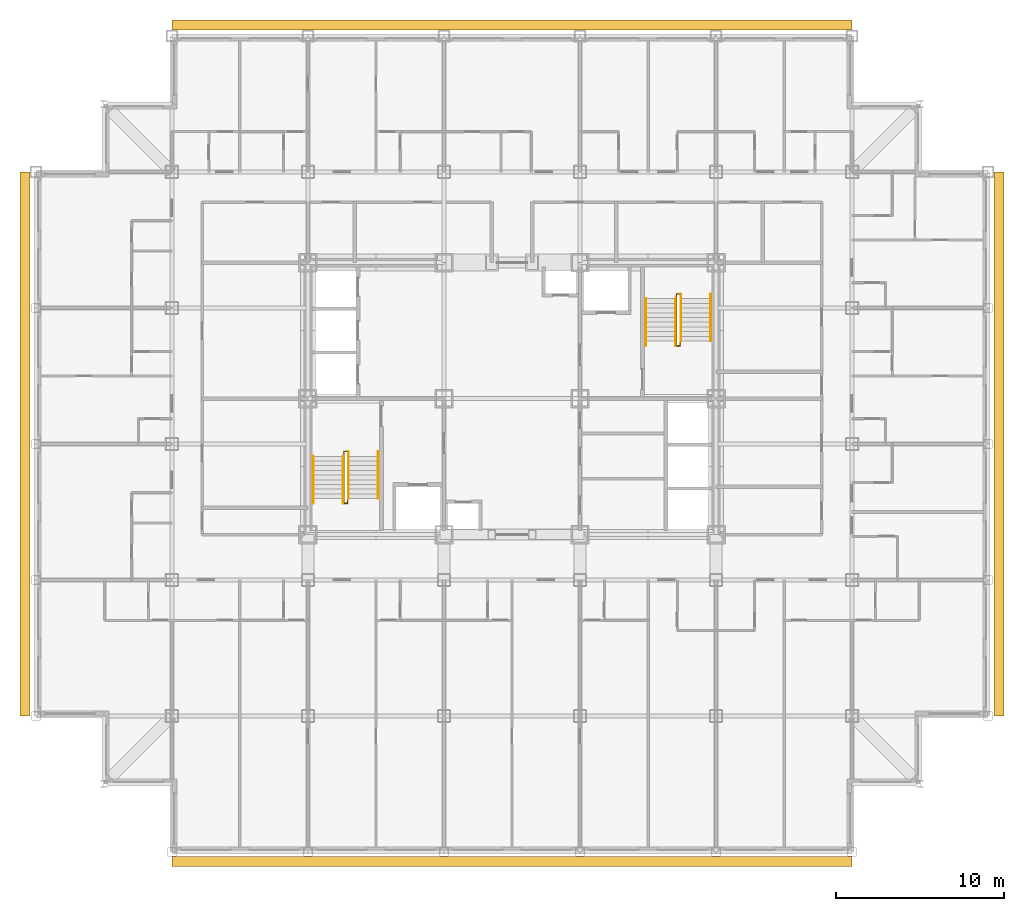
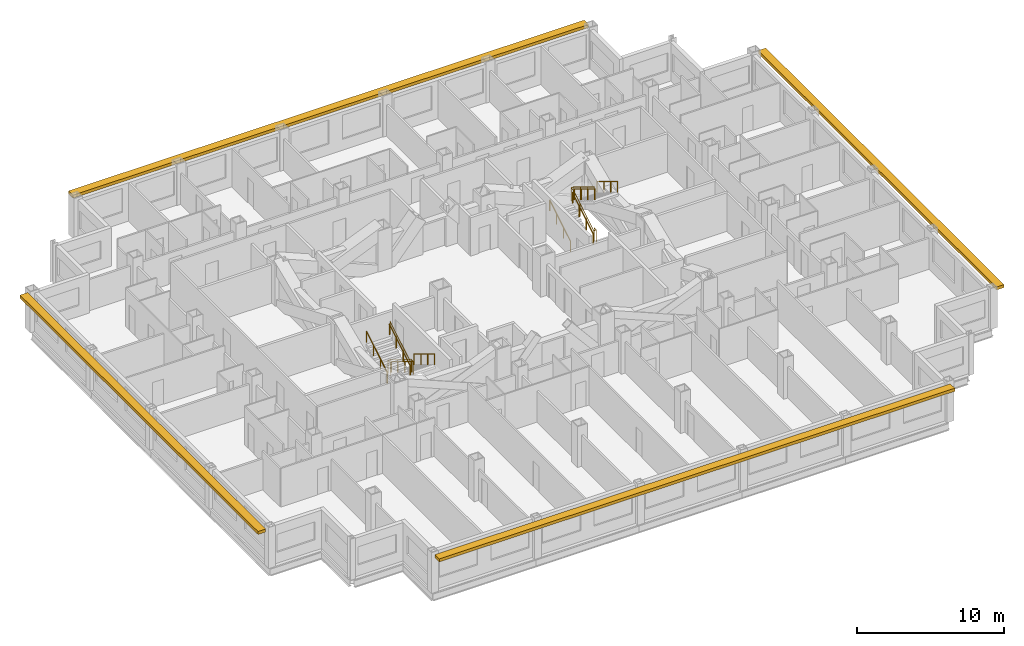
# One storey, part 13 of 13: 10 railings, 4 shading devices.
"""IFC4 building model written with IfcOpenShell, lengths in metres."""

from ifc_helpers import new_model, si_unit, direction, frame, origin, origin_2d, place, context, subcontext, project, spatial, rectangle, circle, extrude, material, type_object, element, save


model = new_model("IFC4")

# Units and contexts
model_context = context("Model", 3, precision=1e-05, world=origin(), true_north=direction((0.0, 1.0)))
body_context = subcontext(model_context, "Body", "Model", "MODEL_VIEW")
ifc_project = project(units=[si_unit("LENGTHUNIT", "METRE"), si_unit("AREAUNIT", "SQUARE_METRE"), si_unit("VOLUMEUNIT", "CUBIC_METRE"), si_unit("PLANEANGLEUNIT", "RADIAN"), si_unit("MASSUNIT", "GRAM", prefix="KILO")], contexts=[model_context])

# Site, building, storey
site_placement = place(None, origin())
site = spatial("IfcSite", under=ifc_project, at=site_placement, CompositionType="ELEMENT")
building_placement = place(site_placement, origin())
building = spatial("IfcBuilding", under=site, at=building_placement, Name="Kopane Lantern Tower", CompositionType="ELEMENT")
storey_placement = place(building_placement, frame((0.0, 0.0, 130.60009765625)))
storey = spatial("IfcBuildingStorey", under=building, at=storey_placement, Name="L33", CompositionType="ELEMENT", Elevation=130.60009765625)

# Railings
ifc_material_1 = material(Name="Steel", Category="steel")
railing_type_1 = type_object("IfcRailingType", Name="STAIR GUARD 1100", PredefinedType="GUARDRAIL", material=ifc_material_1)
railing_1_placement = place(storey_placement, frame((18.35009765625, 28.969970703125, 0.0)))
element("IfcRailing", 1, at=railing_1_placement, inside=storey, type_object=railing_type_1, Name="ST1 well guard L33", PredefinedType="GUARDRAIL", context=body_context, shape_type="SweptSolid", body=[
    extrude(circle(Radius=0.02392578125, at=origin_2d()), frame((0.0, 0.0, 1.076171875), z_axis=(0.0, 1.0, 0.0), x_axis=(-1.0, 0.0, 0.0)), (0.0, 0.0, 1.0), 0.280029296875),
    extrude(circle(Radius=0.02392578125, at=origin_2d()), frame((0.0, 0.280029296875, 1.076171875), z_axis=(1.0, 0.0, 0.0), x_axis=(0.0, 1.0, 0.0)), (0.0, 0.0, 1.0), 0.199951171875),
    extrude(circle(Radius=0.02392578125, at=origin_2d()), frame((0.199951171875, 0.280029296875, 1.076171875), z_axis=(0.0, -0.854798142509, 0.518960630071), x_axis=(1.0, 0.0, 0.0)), (0.0, 0.0, 1.0), 3.275634765625),
    extrude(circle(Radius=0.02392578125, at=origin_2d()), frame((0.199951171875, -2.52001953125, 2.77587890625), z_axis=(0.0, -1.0, 0.0), x_axis=(1.0, 0.0, 0.0)), (0.0, 0.0, 1.0), 0.280029296875),
    extrude(circle(Radius=0.02392578125, at=origin_2d()), frame((0.199951171875, -2.800048828125, 2.77587890625), z_axis=(-1.0, 0.0, 0.0), x_axis=(0.0, -1.0, 0.0)), (0.0, 0.0, 1.0), 0.199951171875),
    extrude(circle(Radius=0.02392578125, at=origin_2d()), frame((0.0, -2.800048828125, 2.77587890625), z_axis=(0.0, 0.854798142509, 0.518960630071), x_axis=(-1.0, 0.0, 0.0)), (0.0, 0.0, 1.0), 3.275634765625),
    extrude(circle(Radius=0.02099609375, at=origin_2d()), origin(), (0.0, 0.0, 1.0), 1.052001953125),
    extrude(circle(Radius=0.02099609375, at=origin_2d()), frame((0.0, 0.280029296875, 0.0)), (0.0, 0.0, 1.0), 1.052001953125),
    extrude(circle(Radius=0.02099609375, at=origin_2d()), frame((0.199951171875, 0.280029296875, 0.0)), (0.0, 0.0, 1.0), 1.052001953125),
    extrude(circle(Radius=0.02099609375, at=origin_2d()), frame((0.199951171875, -0.6533203125, 0.566650390625)), (0.0, 0.0, 1.0), 1.052001953125),
    extrude(circle(Radius=0.02099609375, at=origin_2d()), frame((0.199951171875, -1.586669921875, 1.13330078125)), (0.0, 0.0, 1.0), 1.052001953125),
    extrude(circle(Radius=0.02099609375, at=origin_2d()), frame((0.199951171875, -2.52001953125, 1.699951171875)), (0.0, 0.0, 1.0), 1.052001953125),
    extrude(circle(Radius=0.02099609375, at=origin_2d()), frame((0.199951171875, -2.800048828125, 1.699951171875)), (0.0, 0.0, 1.0), 1.052001953125),
    extrude(circle(Radius=0.02099609375, at=origin_2d()), frame((0.0, -2.800048828125, 1.699951171875)), (0.0, 0.0, 1.0), 1.052001953125),
    extrude(circle(Radius=0.02099609375, at=origin_2d()), frame((0.0, -1.86669921875, 2.2666015625)), (0.0, 0.0, 1.0), 1.052001953125),
    extrude(circle(Radius=0.02099609375, at=origin_2d()), frame((0.0, -0.933349609375, 2.833251953125)), (0.0, 0.0, 1.0), 1.052001953125),
    extrude(circle(Radius=0.02099609375, at=origin_2d()), frame((0.0, 0.0, 3.39990234375)), (0.0, 0.0, 1.0), 1.052001953125),
])
railing_2_placement = place(storey_placement, frame((38.35009765625, 35.830078125, 0.0)))
element("IfcRailing", 2, at=railing_2_placement, inside=storey, type_object=railing_type_1, Name="ST2 well guard L33", PredefinedType="GUARDRAIL", context=body_context, shape_type="SweptSolid", body=[
    extrude(circle(Radius=0.02392578125, at=origin_2d()), frame((0.0, 0.0, 1.076171875), z_axis=(0.0, -1.0, 0.0), x_axis=(1.0, 0.0, 0.0)), (0.0, 0.0, 1.0), 0.280029296875),
    extrude(circle(Radius=0.02392578125, at=origin_2d()), frame((0.0, -0.280029296875, 1.076171875), z_axis=(-1.0, 0.0, 0.0), x_axis=(0.0, -1.0, 0.0)), (0.0, 0.0, 1.0), 0.2001953125),
    extrude(circle(Radius=0.02392578125, at=origin_2d()), frame((-0.2001953125, -0.280029296875, 1.076171875), z_axis=(0.0, 0.854798142509, 0.518960630071), x_axis=(-1.0, 0.0, 0.0)), (0.0, 0.0, 1.0), 3.275634765625),
    extrude(circle(Radius=0.02392578125, at=origin_2d()), frame((-0.2001953125, 2.52001953125, 2.77587890625), z_axis=(0.0, 1.0, 0.0), x_axis=(-1.0, 0.0, 0.0)), (0.0, 0.0, 1.0), 0.27978515625),
    extrude(circle(Radius=0.02392578125, at=origin_2d()), frame((-0.2001953125, 2.7998046875, 2.77587890625), z_axis=(1.0, 0.0, 0.0), x_axis=(0.0, 1.0, 0.0)), (0.0, 0.0, 1.0), 0.2001953125),
    extrude(circle(Radius=0.02392578125, at=origin_2d()), frame((0.0, 2.7998046875, 2.77587890625), z_axis=(0.0, -0.854778067842, 0.518993694313), x_axis=(1.0, 0.0, 0.0)), (0.0, 0.0, 1.0), 3.275390625),
    extrude(circle(Radius=0.02099609375, at=origin_2d()), origin(), (0.0, 0.0, 1.0), 1.052001953125),
    extrude(circle(Radius=0.02099609375, at=origin_2d()), frame((0.0, -0.280029296875, 0.0)), (0.0, 0.0, 1.0), 1.052001953125),
    extrude(circle(Radius=0.02099609375, at=origin_2d()), frame((-0.2001953125, -0.280029296875, 0.0)), (0.0, 0.0, 1.0), 1.052001953125),
    extrude(circle(Radius=0.02099609375, at=origin_2d()), frame((-0.2001953125, 0.6533203125, 0.566650390625)), (0.0, 0.0, 1.0), 1.052001953125),
    extrude(circle(Radius=0.02099609375, at=origin_2d()), frame((-0.2001953125, 1.586669921875, 1.13330078125)), (0.0, 0.0, 1.0), 1.052001953125),
    extrude(circle(Radius=0.02099609375, at=origin_2d()), frame((-0.2001953125, 2.52001953125, 1.699951171875)), (0.0, 0.0, 1.0), 1.052001953125),
    extrude(circle(Radius=0.02099609375, at=origin_2d()), frame((-0.2001953125, 2.7998046875, 1.699951171875)), (0.0, 0.0, 1.0), 1.052001953125),
    extrude(circle(Radius=0.02099609375, at=origin_2d()), frame((0.0, 2.7998046875, 1.699951171875)), (0.0, 0.0, 1.0), 1.052001953125),
    extrude(circle(Radius=0.02099609375, at=origin_2d()), frame((0.0, 1.866455078125, 2.2666015625)), (0.0, 0.0, 1.0), 1.052001953125),
    extrude(circle(Radius=0.02099609375, at=origin_2d()), frame((0.0, 0.933349609375, 2.833251953125)), (0.0, 0.0, 1.0), 1.052001953125),
    extrude(circle(Radius=0.02099609375, at=origin_2d()), frame((0.0, 0.0, 3.39990234375)), (0.0, 0.0, 1.0), 1.052001953125),
])
ifc_material_2 = material(Name="Steel", Category="steel")
railing_type_2 = type_object("IfcRailingType", Name="STAIR HANDRAIL 900", PredefinedType="HANDRAIL", material=ifc_material_2)
for number, where, name in (
    (3, (20.389892578125, 29.25, 0.0), "ST1 handrail L33 flight 1"),
    (4, (18.610107421875, 29.25, 0.0), "ST1 handrail L33 flight 1"),
):
    element("IfcRailing", number, at=place(storey_placement, frame(where)), inside=storey, type_object=railing_type_2, Name=name, PredefinedType="HANDRAIL", context=body_context, shape_type="SweptSolid", body=[
        extrude(circle(Radius=0.02392578125, at=origin_2d()), frame((0.0, 0.0, 0.8759765625), z_axis=(0.0, -0.854798142509, 0.518960630071), x_axis=(1.0, 0.0, 0.0)), (0.0, 0.0, 1.0), 3.275634765625),
        extrude(circle(Radius=0.02099609375, at=origin_2d()), origin(), (0.0, 0.0, 1.0), 0.851806640625),
        extrude(circle(Radius=0.02099609375, at=origin_2d()), frame((0.0, -0.933349609375, 0.566650390625)), (0.0, 0.0, 1.0), 0.851806640625),
        extrude(circle(Radius=0.02099609375, at=origin_2d()), frame((0.0, -1.86669921875, 1.13330078125)), (0.0, 0.0, 1.0), 0.851806640625),
        extrude(circle(Radius=0.02099609375, at=origin_2d()), frame((0.0, -2.800048828125, 1.699951171875)), (0.0, 0.0, 1.0), 0.851806640625),
    ])
for number, where, name in (
    (5, (16.510009765625, 26.169921875, 1.699951171875), "ST1 handrail L33 flight 2"),
    (6, (18.2900390625, 26.169921875, 1.699951171875), "ST1 handrail L33 flight 2"),
    (7, (36.31005859375, 35.550048828125, 0.0), "ST2 handrail L33 flight 1"),
    (8, (38.090087890625, 35.550048828125, 0.0), "ST2 handrail L33 flight 1"),
):
    element("IfcRailing", number, at=place(storey_placement, frame(where)), inside=storey, type_object=railing_type_2, Name=name, PredefinedType="HANDRAIL", context=body_context, shape_type="SweptSolid", body=[
        extrude(circle(Radius=0.02392578125, at=origin_2d()), frame((0.0, 0.0, 0.8759765625), z_axis=(0.0, 0.854798142509, 0.518960630071), x_axis=(-1.0, 0.0, 0.0)), (0.0, 0.0, 1.0), 3.275634765625),
        extrude(circle(Radius=0.02099609375, at=origin_2d()), origin(), (0.0, 0.0, 1.0), 0.851806640625),
        extrude(circle(Radius=0.02099609375, at=origin_2d()), frame((0.0, 0.933349609375, 0.566650390625)), (0.0, 0.0, 1.0), 0.851806640625),
        extrude(circle(Radius=0.02099609375, at=origin_2d()), frame((0.0, 1.86669921875, 1.13330078125)), (0.0, 0.0, 1.0), 0.851806640625),
        extrude(circle(Radius=0.02099609375, at=origin_2d()), frame((0.0, 2.800048828125, 1.699951171875)), (0.0, 0.0, 1.0), 0.851806640625),
    ])
for number, where, name in (
    (9, (40.18994140625, 38.6298828125, 1.699951171875), "ST2 handrail L33 flight 2"),
    (10, (38.409912109375, 38.6298828125, 1.699951171875), "ST2 handrail L33 flight 2"),
):
    element("IfcRailing", number, at=place(storey_placement, frame(where)), inside=storey, type_object=railing_type_2, Name=name, PredefinedType="HANDRAIL", context=body_context, shape_type="SweptSolid", body=[
        extrude(circle(Radius=0.02392578125, at=origin_2d()), frame((0.0, 0.0, 0.8759765625), z_axis=(0.0, -0.854778067842, 0.518993694313), x_axis=(1.0, 0.0, 0.0)), (0.0, 0.0, 1.0), 3.275390625),
        extrude(circle(Radius=0.02099609375, at=origin_2d()), origin(), (0.0, 0.0, 1.0), 0.851806640625),
        extrude(circle(Radius=0.02099609375, at=origin_2d()), frame((0.0, -0.933349609375, 0.566650390625)), (0.0, 0.0, 1.0), 0.851806640625),
        extrude(circle(Radius=0.02099609375, at=origin_2d()), frame((0.0, -1.866455078125, 1.13330078125)), (0.0, 0.0, 1.0), 0.851806640625),
        extrude(circle(Radius=0.02099609375, at=origin_2d()), frame((0.0, -2.7998046875, 1.699951171875)), (0.0, 0.0, 1.0), 0.851806640625),
    ])

# Shading devices
ifc_material_3 = material(Name="Terracotta rainscreen on light steel framing", Category="masonry")
shading_device_type = type_object("IfcShadingDeviceType", Name="SUNSHADE BAND SB1 600 TERRACOTTA", PredefinedType="USERDEFINED", material=ifc_material_3)
shading_device_1_placement = place(storey_placement, frame((28.35009765625, 4.824951171875, 2.89990234375), z_axis=(0.0, 0.0, 1.0), x_axis=(1.0, 0.0, 0.0)))
element("IfcShadingDevice", 11, at=shading_device_1_placement, inside=storey, type_object=shading_device_type, Name="Sunshade band S L33", ObjectType="SUNSHADE BAND", PredefinedType="USERDEFINED", context=body_context, shape_type="SweptSolid", body=[
    extrude(rectangle(XDim=40.5, YDim=0.60009765625, at=origin_2d()), origin(), (0.0, 0.0, 1.0), 0.25),
])
shading_device_2_placement = place(storey_placement, frame((57.35009765625, 29.699951171875, 2.89990234375), z_axis=(0.0, 0.0, 1.0), x_axis=(0.0, 1.0, 0.0)))
element("IfcShadingDevice", 12, at=shading_device_2_placement, inside=storey, type_object=shading_device_type, Name="Sunshade band E L33", ObjectType="SUNSHADE BAND", PredefinedType="USERDEFINED", context=body_context, shape_type="SweptSolid", body=[
    extrude(rectangle(XDim=32.39990234375, YDim=0.60009765625, at=origin_2d()), origin(), (0.0, 0.0, 1.0), 0.25),
])
shading_device_3_placement = place(storey_placement, frame((28.35009765625, 54.64990234375, 2.89990234375), z_axis=(0.0, 0.0, 1.0), x_axis=(-1.0, 0.0, 0.0)))
element("IfcShadingDevice", 13, at=shading_device_3_placement, inside=storey, type_object=shading_device_type, Name="Sunshade band N L33", ObjectType="SUNSHADE BAND", PredefinedType="USERDEFINED", context=body_context, shape_type="SweptSolid", body=[
    extrude(rectangle(XDim=40.5, YDim=0.60009765625, at=origin_2d()), origin(), (0.0, 0.0, 1.0), 0.25),
])
shading_device_4_placement = place(storey_placement, frame((-0.64990234375, 29.699951171875, 2.89990234375), z_axis=(0.0, 0.0, 1.0), x_axis=(0.0, -1.0, 0.0)))
element("IfcShadingDevice", 14, at=shading_device_4_placement, inside=storey, type_object=shading_device_type, Name="Sunshade band W L33", ObjectType="SUNSHADE BAND", PredefinedType="USERDEFINED", context=body_context, shape_type="SweptSolid", body=[
    extrude(rectangle(XDim=32.39990234375, YDim=0.60009765625, at=origin_2d()), origin(), (0.0, 0.0, 1.0), 0.25),
])

save(model, "model.ifc")
